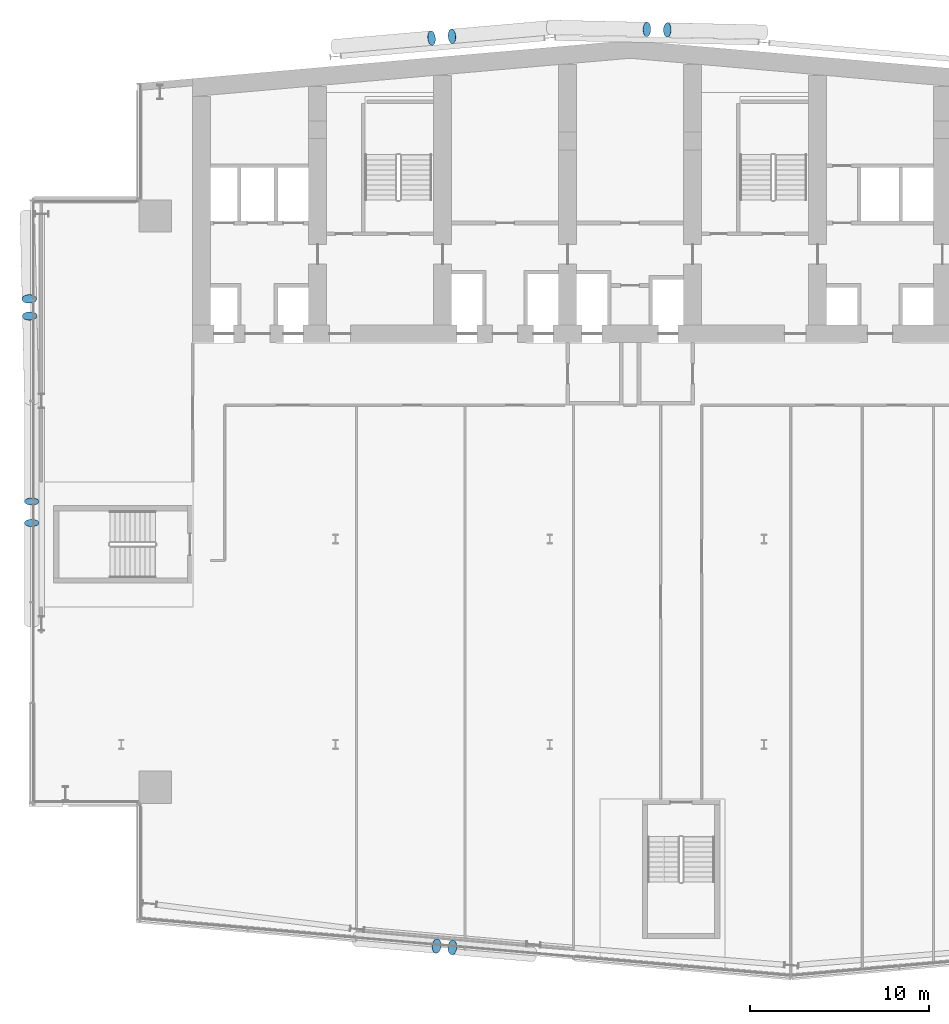
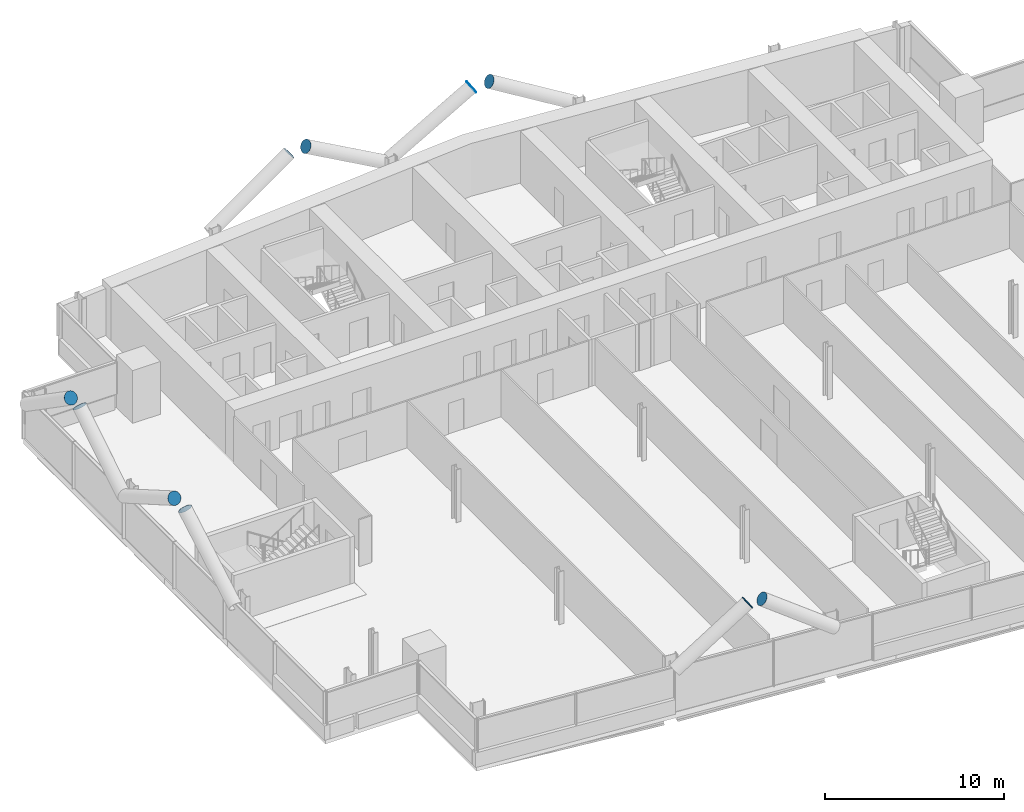
# One storey, part 20 of 25: 10 discrete accessories.
"""IFC4 building model written with IfcOpenShell, lengths in metres."""

from ifc_helpers import new_model, si_unit, direction, frame, origin, origin_2d, place, context, subcontext, project, spatial, circle, extrude, material, material_profile, profile_set, type_object, element, save


model = new_model("IFC4")

# Units and contexts
model_context = context("Model", 3, precision=1e-05, world=origin(), true_north=direction((0.0, 1.0)))
body_context = subcontext(model_context, "Body", "Model", "MODEL_VIEW")
ifc_project = project(units=[si_unit("LENGTHUNIT", "METRE"), si_unit("AREAUNIT", "SQUARE_METRE"), si_unit("VOLUMEUNIT", "CUBIC_METRE"), si_unit("PLANEANGLEUNIT", "RADIAN"), si_unit("MASSUNIT", "GRAM", prefix="KILO")], contexts=[model_context])

# Site, building, storey
site_placement = place(None, origin())
site = spatial("IfcSite", under=ifc_project, at=site_placement, CompositionType="ELEMENT")
building_placement = place(site_placement, origin())
building = spatial("IfcBuilding", under=site, at=building_placement, Name="Wharfspan Tower", CompositionType="ELEMENT")
storey_placement = place(building_placement, frame((0.0, 0.0, 121.899902)))
storey = spatial("IfcBuildingStorey", under=building, at=storey_placement, Name="L28", CompositionType="ELEMENT", Elevation=121.899902)

# Discrete accessories
ifc_material = material(Name="Steel S460NH", Category="steel")
ifc_material_profile = material_profile(ifc_material, circle(Radius=0.406494, at=origin_2d()))
ifc_profile_set = profile_set([ifc_material_profile], Name="Steel S460NH")
discrete_accessory_type = type_object("IfcDiscreteAccessoryType", Name="End plate CHS 813x40", PredefinedType="BRACKET", material=ifc_profile_set)
for number, where, z_axis, x_axis, name in (
    (1, (29.654785, 0.202881, 6.173096), (0.795008, -0.072273, 0.602279), (0.090536, 0.995894, -1e-06), "End plate CHS 813x40"),
    (2, (30.551514, 0.124512, 6.173096), (-0.795008, 0.072273, 0.602279), (-0.090536, -0.995894, -1e-06), "End plate CHS 813x40"),
):
    element("IfcDiscreteAccessory", number, at=place(storey_placement, frame(where, z_axis=z_axis, x_axis=x_axis)), inside=storey, type_object=discrete_accessory_type, Name=name, PredefinedType="BRACKET", context=body_context, shape_type="SweptSolid", body=[
        extrude(circle(Radius=0.406494, at=origin_2d()), origin(), (0.0, 0.0, 1.0), 0.010254),
    ])
for number, where, z_axis, x_axis, name in (
    (3, (6.985107, 25.105957, 6.150146), (0.0, -0.868243, 0.496139), (1.0, 0.0, 0.0), "End plate CHS 813x40"),
    (4, (6.985107, 23.894043, 6.150146), (0.0, 0.868243, 0.496139), (-1.0, 0.0, 0.0), "End plate CHS 813x40"),
):
    element("IfcDiscreteAccessory", number, at=place(storey_placement, frame(where, z_axis=z_axis, x_axis=x_axis)), inside=storey, type_object=discrete_accessory_type, Name=name, PredefinedType="BRACKET", context=body_context, shape_type="SweptSolid", body=[
        extrude(circle(Radius=0.406494, at=origin_2d()), origin(), (0.0, 0.0, 1.0), 0.009766),
    ])
discrete_accessory_1_placement = place(storey_placement, frame((6.8479, 36.455078, 6.166992), z_axis=(0.0245, -0.808493, 0.587995), x_axis=(0.999537, 0.03029, 1e-06)))
element("IfcDiscreteAccessory", 5, at=discrete_accessory_1_placement, inside=storey, type_object=discrete_accessory_type, Name="End plate CHS 813x40", PredefinedType="BRACKET", context=body_context, shape_type="SweptSolid", body=[
    extrude(circle(Radius=0.406494, at=origin_2d()), origin(), (0.0, 0.0, 1.0), 0.01001),
])
discrete_accessory_2_placement = place(storey_placement, frame((6.871094, 35.486084, 6.166992), z_axis=(-0.024022, 0.816732, 0.576517), x_axis=(-0.99957, -0.029399, -1e-06)))
element("IfcDiscreteAccessory", 6, at=discrete_accessory_2_placement, inside=storey, type_object=discrete_accessory_type, Name="End plate CHS 813x40", PredefinedType="BRACKET", context=body_context, shape_type="SweptSolid", body=[
    extrude(circle(Radius=0.406494, at=origin_2d()), origin(), (0.0, 0.0, 1.0), 0.010254),
])
for number, where, z_axis, x_axis, name in (
    (7, (41.435059, 51.541504, 6.153564), (0.857236, -0.024492, 0.514341), (0.028558, 0.999591, 2e-06), "End plate CHS 813x40"),
    (8, (42.590332, 51.514893, 6.153564), (-0.857236, 0.024492, 0.514341), (-0.028558, -0.999591, 2e-06), "End plate CHS 813x40"),
    (9, (29.373291, 51.05542, 6.153076), (0.853405, 0.097532, 0.512043), (-0.113547, 0.993531, 1e-06), "End plate CHS 813x40"),
    (10, (30.529785, 51.156738, 6.153076), (-0.855186, -0.073302, 0.513112), (0.085402, -0.996345, 1e-06), "End plate CHS 813x40"),
):
    element("IfcDiscreteAccessory", number, at=place(storey_placement, frame(where, z_axis=z_axis, x_axis=x_axis)), inside=storey, type_object=discrete_accessory_type, Name=name, PredefinedType="BRACKET", context=body_context, shape_type="SweptSolid", body=[
        extrude(circle(Radius=0.406494, at=origin_2d()), origin(), (0.0, 0.0, 1.0), 0.01001),
    ])

save(model, "model.ifc")
